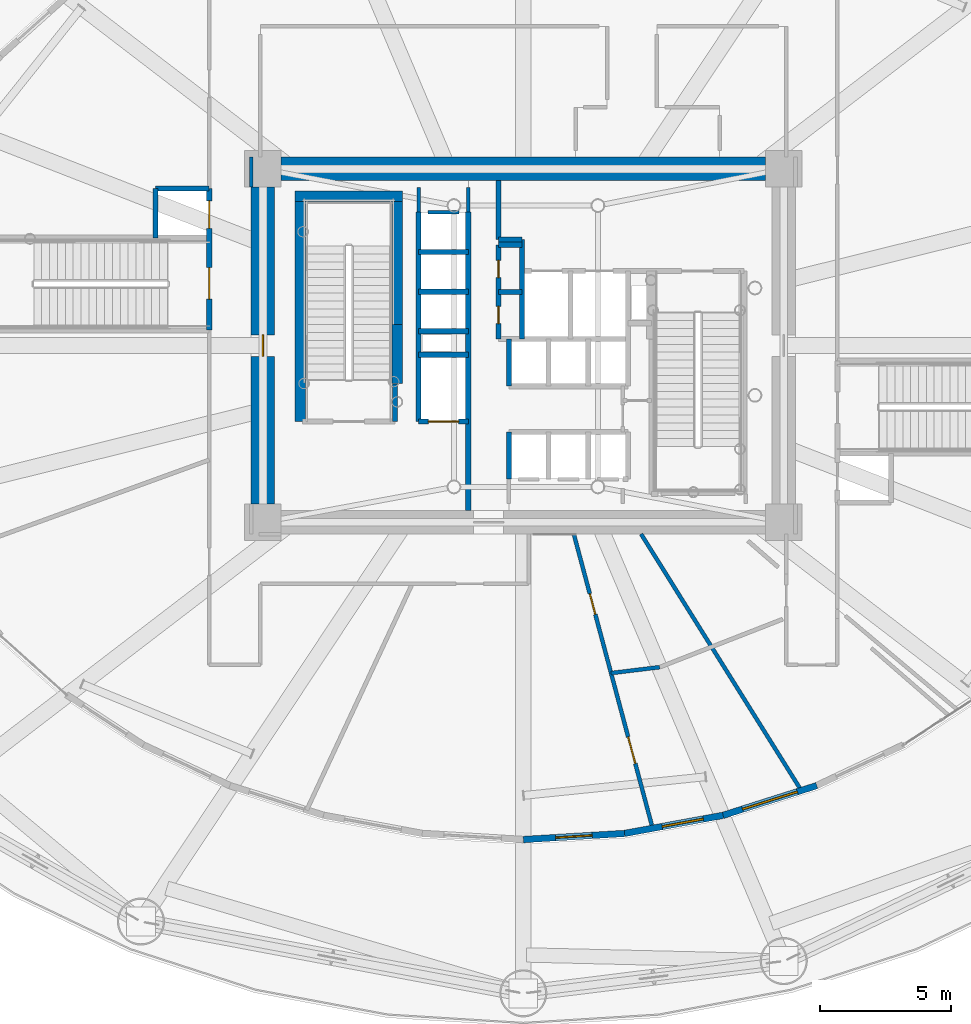
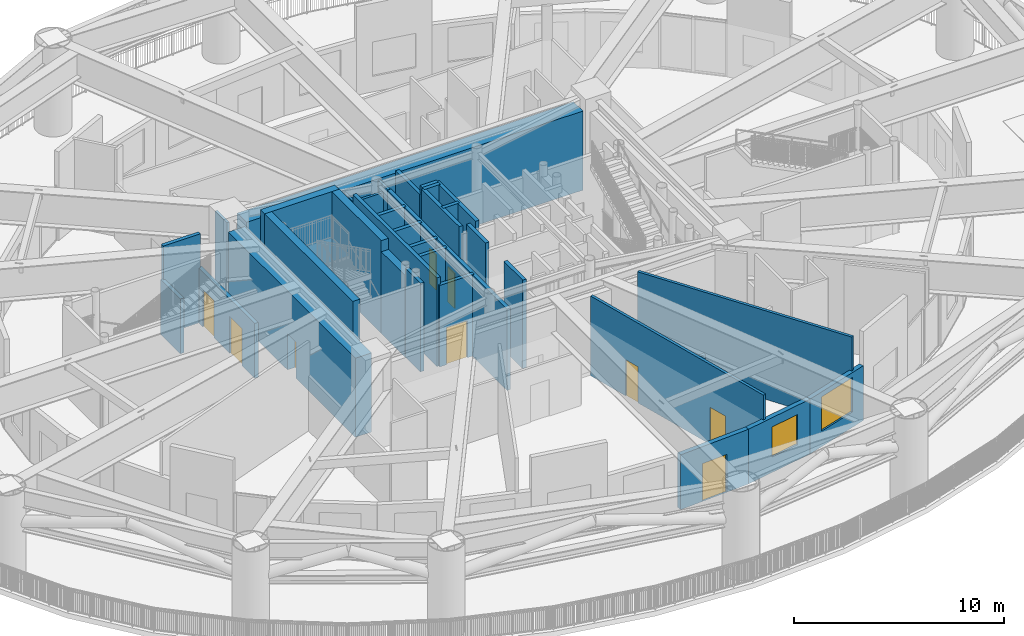
# One storey, part 23 of 39: 35 walls, 9 doors, 2 windows, 11 openings.
"""IFC4 building model written with IfcOpenShell, lengths in metres."""

from ifc_helpers import new_model, si_unit, direction, frame, frame_2d, origin, origin_2d, place, context, subcontext, project, spatial, rectangle, extrude, source, transform, mapped, material, layer, layer_set, type_object, element, fill, save


model = new_model("IFC4")

# Units and contexts
model_context = context("Model", 3, precision=1e-05, world=origin(), true_north=direction((0.0, 1.0)))
body_context = subcontext(model_context, "Body", "Model", "MODEL_VIEW")
ifc_project = project(units=[si_unit("LENGTHUNIT", "METRE"), si_unit("AREAUNIT", "SQUARE_METRE"), si_unit("VOLUMEUNIT", "CUBIC_METRE"), si_unit("PLANEANGLEUNIT", "RADIAN"), si_unit("MASSUNIT", "GRAM", prefix="KILO")], contexts=[model_context])

# Site, building, storey
site_placement = place(None, origin())
site = spatial("IfcSite", under=ifc_project, at=site_placement, CompositionType="ELEMENT")
building_placement = place(site_placement, origin())
building = spatial("IfcBuilding", under=site, at=building_placement, Name="Linh Dai School and Residence Tower", CompositionType="ELEMENT")
storey_placement = place(building_placement, frame((0.0, 0.0, 27.0)))
storey = spatial("IfcBuildingStorey", under=building, at=storey_placement, Name="L06", CompositionType="ELEMENT", Elevation=27.0)

# Wall, opening, door
ifc_material_1 = material(Name="Precast Concrete B45 (C35/45)", Category="concrete")
ifc_layer_1 = layer(ifc_material_1, 0.25)
ifc_layer_set_1 = layer_set([ifc_layer_1], Name="Precast Concrete B45 (C35/45)")
wall_type_1 = type_object("IfcWallType", Name="EW-TC-250", PredefinedType="SOLIDWALL", material=ifc_layer_set_1)
wall_1_placement = place(storey_placement, frame((39.864501953125, 8.35791015625, 0.0), z_axis=(0.0, 0.0, 1.0), x_axis=(-0.998188749064, -0.060159963776, 0.0)))
wall_1 = element("IfcWall", 1, at=wall_1_placement, inside=storey, type_object=wall_type_1, Name="L06 Terracotta Exterior Wall 31", PredefinedType="SOLIDWALL", context=body_context, shape_type="SweptSolid", body=[
    extrude(rectangle(XDim=3.87158203125, YDim=0.25, at=frame_2d((1.935791015625, 0.0))), origin(), (0.0, 0.0, 1.0), 3.18505859375),
])
opening_1_placement = place(wall_1_placement, frame((1.23583984375, 0.0, 0.0)))
opening_1 = element("IfcOpeningElement", 2, at=opening_1_placement, cuts=wall_1, Name="Opening DD1", PredefinedType="OPENING", context=body_context, shape_type="SweptSolid", body=[
    extrude(rectangle(XDim=1.39990234375, YDim=2.199951171875, at=origin_2d()), frame((0.699951171875, 0.135009765625, 1.10009765625), z_axis=(0.0, -1.0, 0.0), x_axis=(1.0, 0.0, 0.0)), (0.0, 0.0, 1.0), 0.27001953125),
])
ifc_material_2 = material(Name="Glazed Aluminium Terrace Door", Category="aluminium")
door_type_1 = type_object("IfcDoorType", Name="DR-DECK-1400x2200", OperationType="NOTDEFINED", PredefinedType="DOOR", material=ifc_material_2)
shared_shape_1 = source(origin(), body_context, "Body", "SweptSolid", [
    extrude(rectangle(XDim=1.39990234375, YDim=2.199951171875, at=origin_2d()), frame((0.699951171875, 0.02490234375, 1.10009765625), z_axis=(0.0, -1.0, 0.0), x_axis=(1.0, 0.0, 0.0)), (0.0, 0.0, 1.0), 0.050048828125),
])
door_1_placement = place(opening_1_placement, origin())
door_1 = element("IfcDoor", 3, at=door_1_placement, inside=storey, type_object=door_type_1, Name="L06 Outdoor Terrace Access Door 31", OperationType="SINGLE_SWING_LEFT", OverallHeight=2.199951171875, OverallWidth=1.39990234375, PredefinedType="DOOR", context=body_context, shape_type="MappedRepresentation", body=[
    mapped(shared_shape_1, transform((0.0, 0.0, 0.0), x_axis=(1.0, 0.0, 0.0), y_axis=(0.0, 1.0, 0.0), z_axis=(0.0, 0.0, 1.0), scale=1.0)),
])
fill(opening_1, door_1)

# Wall, opening, window
wall_2_placement = place(storey_placement, frame((43.633544921875, 9.05126953125, 0.0), z_axis=(0.0, 0.0, 1.0), x_axis=(-0.983496768781, -0.180925691368, 0.0)))
wall_2 = element("IfcWall", 4, at=wall_2_placement, inside=storey, type_object=wall_type_1, Name="L06 Terracotta Exterior Wall 32", PredefinedType="SOLIDWALL", context=body_context, shape_type="SweptSolid", body=[
    extrude(rectangle(XDim=3.832275390625, YDim=0.25, at=frame_2d((1.916015625, 0.0))), origin(), (0.0, 0.0, 1.0), 3.18505859375),
])
opening_2_placement = place(wall_2_placement, frame((0.76708984375, 0.0, 0.89990234375)))
opening_2 = element("IfcOpeningElement", 5, at=opening_2_placement, cuts=wall_2, Name="Opening W2", PredefinedType="OPENING", context=body_context, shape_type="SweptSolid", body=[
    extrude(rectangle(XDim=1.60009765625, YDim=1.75, at=origin_2d()), frame((0.800048828125, 0.135009765625, 0.875), z_axis=(0.0, -1.0, 0.0), x_axis=(1.0, 0.0, 0.0)), (0.0, 0.0, 1.0), 0.27001953125),
])
ifc_material_3 = material(Name="Double Low-E Insulated Glazing", Category="glass")
window_type_1 = type_object("IfcWindowType", Name="WN-RES-1600x1750", PartitioningType="DOUBLE_PANEL_VERTICAL", PredefinedType="WINDOW", material=ifc_material_3)
shared_shape_2 = source(origin(), body_context, "Body", "SweptSolid", [
    extrude(rectangle(XDim=1.60009765625, YDim=1.75, at=origin_2d()), frame((0.800048828125, 0.030029296875, 0.875), z_axis=(0.0, -1.0, 0.0), x_axis=(1.0, 0.0, 0.0)), (0.0, 0.0, 1.0), 0.06005859375),
])
window_1_placement = place(opening_2_placement, origin())
window_1 = element("IfcWindow", 6, at=window_1_placement, inside=storey, type_object=window_type_1, Name="L06 Exterior Window 32.1", OverallHeight=1.75, OverallWidth=1.60009765625, PartitioningType="DOUBLE_PANEL_VERTICAL", PredefinedType="WINDOW", context=body_context, shape_type="MappedRepresentation", body=[
    mapped(shared_shape_2, transform((0.0, 0.0, 0.0), x_axis=(1.0, 0.0, 0.0), y_axis=(0.0, 1.0, 0.0), z_axis=(0.0, 0.0, 1.0), scale=1.0)),
])
fill(opening_2, window_1)

wall_3_placement = place(storey_placement, frame((47.213623046875, 10.187255859375, 0.0), z_axis=(0.0, 0.0, 1.0), x_axis=(-0.953166212936, -0.302446971412, 0.0)))
wall_3 = element("IfcWall", 7, at=wall_3_placement, inside=storey, type_object=wall_type_1, Name="L06 Terracotta Exterior Wall 33", PredefinedType="SOLIDWALL", context=body_context, shape_type="SweptSolid", body=[
    extrude(rectangle(XDim=3.756103515625, YDim=0.25, at=frame_2d((1.8779296875, 0.0))), origin(), (0.0, 0.0, 1.0), 3.18505859375),
])
opening_3_placement = place(wall_3_placement, frame((0.778076171875, 0.0, 0.89990234375)))
opening_3 = element("IfcOpeningElement", 8, at=opening_3_placement, cuts=wall_3, Name="Opening W4", PredefinedType="OPENING", context=body_context, shape_type="SweptSolid", body=[
    extrude(rectangle(XDim=2.199951171875, YDim=2.0, at=origin_2d()), frame((1.10009765625, 0.135009765625, 1.0), z_axis=(0.0, -1.0, 0.0), x_axis=(1.0, 0.0, 0.0)), (0.0, 0.0, 1.0), 0.27001953125),
])
ifc_material_4 = material(Name="Acoustic Laminated Low-E Glazing", Category="glass")
window_type_2 = type_object("IfcWindowType", Name="WN-SCH-2200x2000", PartitioningType="TRIPLE_PANEL_VERTICAL", PredefinedType="WINDOW", material=ifc_material_4)
shared_shape_3 = source(origin(), body_context, "Body", "SweptSolid", [
    extrude(rectangle(XDim=2.199951171875, YDim=2.0, at=origin_2d()), frame((1.10009765625, 0.030029296875, 1.0), z_axis=(0.0, -1.0, 0.0), x_axis=(1.0, 0.0, 0.0)), (0.0, 0.0, 1.0), 0.06005859375),
])
window_2_placement = place(opening_3_placement, origin())
window_2 = element("IfcWindow", 9, at=window_2_placement, inside=storey, type_object=window_type_2, Name="L06 Exterior Window 33.1", OverallHeight=2.0, OverallWidth=2.199951171875, PartitioningType="TRIPLE_PANEL_VERTICAL", PredefinedType="WINDOW", context=body_context, shape_type="MappedRepresentation", body=[
    mapped(shared_shape_3, transform((0.0, 0.0, 0.0), x_axis=(1.0, 0.0, 0.0), y_axis=(0.0, 1.0, 0.0), z_axis=(0.0, 0.0, 1.0), scale=1.0)),
])
fill(opening_3, window_2)

# Walls
ifc_material_5 = material(Name="Autoclaved Aerated Concrete Blockwork", Category="masonry")
ifc_layer_2 = layer(ifc_material_5, 0.135009765625)
ifc_layer_set_2 = layer_set([ifc_layer_2], Name="Autoclaved Aerated Concrete Blockwork")
wall_type_2 = type_object("IfcWallType", Name="IW-CORR-135-EI90", PredefinedType="PARTITIONING", material=ifc_layer_set_2)
wall_4_placement = place(storey_placement, frame((32.360107421875, 32.10009765625, 0.0), z_axis=(0.0, 0.0, 1.0), x_axis=(1.0, 0.0, 0.0)))
element("IfcWall", 10, at=wall_4_placement, inside=storey, type_object=wall_type_2, Name="L06 Interior Partition Wall 074", PredefinedType="PARTITIONING", context=body_context, shape_type="SweptSolid", body=[
    extrude(rectangle(XDim=1.179931640625, YDim=0.135009765625, at=frame_2d((0.58984375, 0.0))), origin(), (0.0, 0.0, 1.0), 4.735107421875),
])
wall_5_placement = place(storey_placement, frame((32.0, 33.0400390625, 0.0), z_axis=(0.0, 0.0, 1.0), x_axis=(0.0, -1.0, 0.0)))
element("IfcWall", 11, at=wall_5_placement, inside=storey, type_object=wall_type_2, Name="L06 Interior Partition Wall 076", PredefinedType="PARTITIONING", context=body_context, shape_type="SweptSolid", body=[
    extrude(rectangle(XDim=0.929931640625, YDim=0.135009765625, at=frame_2d((0.46484375, 0.0))), origin(), (0.0, 0.0, 1.0), 4.68505859375),
])
wall_6_placement = place(storey_placement, frame((33.89990234375, 32.110107421875, 0.0), z_axis=(0.0, 0.0, 1.0), x_axis=(0.0, 1.0, 0.0)))
element("IfcWall", 12, at=wall_6_placement, inside=storey, type_object=wall_type_2, Name="L06 Interior Partition Wall 079", PredefinedType="PARTITIONING", context=body_context, shape_type="SweptSolid", body=[
    extrude(rectangle(XDim=0.929931640625, YDim=0.135009765625, at=frame_2d((0.46484375, 0.0))), origin(), (0.0, 0.0, 1.0), 4.735107421875),
])
wall_7_placement = place(storey_placement, frame((25.60009765625, 34.199951171875, 0.0), z_axis=(0.0, 0.0, 1.0), x_axis=(0.0, -1.0, 0.0)))
element("IfcWall", 13, at=wall_7_placement, inside=storey, type_object=wall_type_2, Name="L06 Interior Partition Wall 094", PredefinedType="PARTITIONING", context=body_context, shape_type="SweptSolid", body=[
    extrude(rectangle(XDim=1.139892578125, YDim=0.135009765625, at=frame_2d((0.56982421875, 0.0))), origin(), (0.0, 0.0, 1.0), 5.14990234375),
])

# Wall, openings, doors
ifc_layer_3 = layer(ifc_material_5, 0.14990234375)
ifc_layer_set_3 = layer_set([ifc_layer_3], Name="Autoclaved Aerated Concrete Blockwork")
wall_type_3 = type_object("IfcWallType", Name="IW-SCH-150-EI60", PredefinedType="PARTITIONING", material=ifc_layer_set_3)
wall_8_placement = place(storey_placement, frame((37.92919921875, 19.800048828125, 0.0), z_axis=(0.0, 0.0, 1.0), x_axis=(0.258828999451, -0.965923158974, 0.0)))
wall_8 = element("IfcWall", 14, at=wall_8_placement, inside=storey, type_object=wall_type_3, Name="L06 Interior Partition Wall 042", PredefinedType="PARTITIONING", context=body_context, shape_type="SweptSolid", body=[
    extrude(rectangle(XDim=11.645263671875, YDim=0.14990234375, at=frame_2d((5.82275390625, 0.0))), origin(), (0.0, 0.0, 1.0), 4.635009765625),
])
opening_4_placement = place(wall_8_placement, frame((2.3603515625, 0.0, 0.0)))
opening_4 = element("IfcOpeningElement", 15, at=opening_4_placement, cuts=wall_8, Name="Opening D06", PredefinedType="OPENING", context=body_context, shape_type="SweptSolid", body=[
    extrude(rectangle(XDim=0.820068359375, YDim=2.10009765625, at=origin_2d()), frame((0.41015625, 0.0849609375, 1.050048828125), z_axis=(0.0, -1.0, 0.0), x_axis=(1.0, 0.0, 0.0)), (0.0, 0.0, 1.0), 0.169921875),
])
opening_5_placement = place(wall_8_placement, frame((8.028076171875, 0.0, 0.0)))
opening_5 = element("IfcOpeningElement", 16, at=opening_5_placement, cuts=wall_8, Name="Opening D04", PredefinedType="OPENING", context=body_context, shape_type="SweptSolid", body=[
    extrude(rectangle(XDim=1.050048828125, YDim=2.14990234375, at=origin_2d()), frame((0.52490234375, 0.0849609375, 1.074951171875), z_axis=(0.0, -1.0, 0.0), x_axis=(1.0, 0.0, 0.0)), (0.0, 0.0, 1.0), 0.169921875),
])
ifc_material_6 = material(Name="Acoustic Vision-Panel Timber Classroom Door", Category="wood")
door_type_2 = type_object("IfcDoorType", Name="DR-SCH-1050x2150-FD60S", OperationType="NOTDEFINED", PredefinedType="DOOR", material=ifc_material_6)
shared_shape_4 = source(origin(), body_context, "Body", "SweptSolid", [
    extrude(rectangle(XDim=1.050048828125, YDim=2.14990234375, at=origin_2d()), frame((0.52490234375, 0.02490234375, 1.074951171875), z_axis=(0.0, -1.0, 0.0), x_axis=(1.0, 0.0, 0.0)), (0.0, 0.0, 1.0), 0.050048828125),
])
door_2_placement = place(opening_5_placement, origin())
door_2 = element("IfcDoor", 17, at=door_2_placement, inside=storey, type_object=door_type_2, Name="L06 Resource Study Room BWC Door", OperationType="SINGLE_SWING_LEFT", OverallHeight=2.14990234375, OverallWidth=1.050048828125, PredefinedType="DOOR", context=body_context, shape_type="MappedRepresentation", body=[
    mapped(shared_shape_4, transform((0.0, 0.0, 0.0), x_axis=(1.0, 0.0, 0.0), y_axis=(0.0, 1.0, 0.0), z_axis=(0.0, 0.0, 1.0), scale=1.0)),
])
fill(opening_5, door_2)
ifc_material_7 = material(Name="Moisture-Resistant Timber Bathroom Door", Category="wood")
door_type_3 = type_object("IfcDoorType", Name="DR-WET-820x2100", OperationType="NOTDEFINED", PredefinedType="DOOR", material=ifc_material_7)
shared_shape_5 = source(origin(), body_context, "Body", "SweptSolid", [
    extrude(rectangle(XDim=0.820068359375, YDim=2.10009765625, at=origin_2d()), frame((0.41015625, 0.02490234375, 1.050048828125), z_axis=(0.0, -1.0, 0.0), x_axis=(1.0, 0.0, 0.0)), (0.0, 0.0, 1.0), 0.050048828125),
])
door_3_placement = place(opening_4_placement, origin())
door_3 = element("IfcDoor", 18, at=door_3_placement, inside=storey, type_object=door_type_3, Name="L06 Pavilion Boys WC Door", OperationType="SINGLE_SWING_RIGHT", OverallHeight=2.10009765625, OverallWidth=0.820068359375, PredefinedType="DOOR", context=body_context, shape_type="MappedRepresentation", body=[
    mapped(shared_shape_5, transform((0.0, 0.0, 0.0), x_axis=(1.0, 0.0, 0.0), y_axis=(0.0, 1.0, 0.0), z_axis=(0.0, 0.0, 1.0), scale=1.0)),
])
fill(opening_4, door_3)

# Walls
wall_9_placement = place(storey_placement, frame((39.352783203125, 14.48681640625, 0.0), z_axis=(0.0, 0.0, 1.0), x_axis=(0.992712995386, 0.120502733544, 0.0)))
element("IfcWall", 19, at=wall_9_placement, inside=storey, type_object=wall_type_3, Name="L06 Interior Partition Wall 045", PredefinedType="PARTITIONING", context=body_context, shape_type="SweptSolid", body=[
    extrude(rectangle(XDim=1.8720703125, YDim=0.14990234375, at=frame_2d((0.93603515625, 0.0))), origin(), (0.0, 0.0, 1.0), 3.18505859375),
])
wall_10_placement = place(storey_placement, frame((40.4990234375, 19.800048828125, 0.0), z_axis=(0.0, 0.0, 1.0), x_axis=(0.529917315657, -0.848049313759, 0.0)))
element("IfcWall", 20, at=wall_10_placement, inside=storey, type_object=wall_type_3, Name="L06 Interior Partition Wall 052", PredefinedType="PARTITIONING", context=body_context, shape_type="SweptSolid", body=[
    extrude(rectangle(XDim=11.561279296875, YDim=0.14990234375, at=frame_2d((5.78076171875, 0.0))), origin(), (0.0, 0.0, 1.0), 5.14990234375),
])
ifc_material_8 = material(Name="Concrete B45 (C35/45)", Category="concrete")
ifc_layer_4 = layer(ifc_material_8, 0.199951171875)
ifc_layer_set_4 = layer_set([ifc_layer_4], Name="Concrete B45 (C35/45)")
wall_type_4 = type_object("IfcWallType", Name="IW-SHAFT-200-EI120", PredefinedType="PARTITIONING", material=ifc_layer_set_4)
wall_11_placement = place(storey_placement, frame((21.949951171875, 31.1201171875, 0.0), z_axis=(0.0, 0.0, 1.0), x_axis=(0.0, 1.0, 0.0)))
element("IfcWall", 21, at=wall_11_placement, inside=storey, type_object=wall_type_4, Name="L06 Interior Partition Wall 005", PredefinedType="PARTITIONING", context=body_context, shape_type="SweptSolid", body=[
    extrude(rectangle(XDim=1.8798828125, YDim=0.199951171875, at=frame_2d((0.93994140625, 0.0))), origin(), (0.0, 0.0, 1.0), 3.18505859375),
])
wall_12_placement = place(storey_placement, frame((21.949951171875, 33.0, 0.0), z_axis=(0.0, 0.0, 1.0), x_axis=(1.0, 0.0, 0.0)))
element("IfcWall", 22, at=wall_12_placement, inside=storey, type_object=wall_type_4, Name="L06 Interior Partition Wall 006", PredefinedType="PARTITIONING", context=body_context, shape_type="SweptSolid", body=[
    extrude(rectangle(XDim=2.050048828125, YDim=0.199951171875, at=frame_2d((1.02490234375, 0.0))), origin(), (0.0, 0.0, 1.0), 5.14990234375),
])

# Wall, openings, doors
wall_13_placement = place(storey_placement, frame((24.0, 27.590087890625, 0.0), z_axis=(0.0, 0.0, 1.0), x_axis=(0.0, 1.0, 0.0)))
wall_13 = element("IfcWall", 23, at=wall_13_placement, inside=storey, type_object=wall_type_4, Name="L06 Interior Partition Wall 010", PredefinedType="PARTITIONING", context=body_context, shape_type="SweptSolid", body=[
    extrude(rectangle(XDim=5.409912109375, YDim=0.199951171875, at=frame_2d((2.705078125, 0.0))), origin(), (0.0, 0.0, 1.0), 3.18505859375),
])
opening_6_placement = place(wall_13_placement, frame((1.18505859375, 0.0, 0.0)))
opening_6 = element("IfcOpeningElement", 24, at=opening_6_placement, cuts=wall_13, Name="Opening D01", PredefinedType="OPENING", context=body_context, shape_type="SweptSolid", body=[
    extrude(rectangle(XDim=1.199951171875, YDim=2.14990234375, at=origin_2d()), frame((0.60009765625, 0.10986328125, 1.074951171875), z_axis=(0.0, -1.0, 0.0), x_axis=(1.0, 0.0, 0.0)), (0.0, 0.0, 1.0), 0.219970703125),
])
opening_7_placement = place(wall_13_placement, frame((3.889892578125, 0.0, 0.0)))
opening_7 = element("IfcOpeningElement", 25, at=opening_7_placement, cuts=wall_13, Name="Opening LD-SL1", PredefinedType="OPENING", context=body_context, shape_type="SweptSolid", body=[
    extrude(rectangle(XDim=1.050048828125, YDim=2.14990234375, at=origin_2d()), frame((0.52490234375, 0.10986328125, 1.074951171875), z_axis=(0.0, -1.0, 0.0), x_axis=(1.0, 0.0, 0.0)), (0.0, 0.0, 1.0), 0.219970703125),
])
ifc_material_9 = material(Name="Fire-Rated Steel Door Leaf", Category="steel")
door_type_4 = type_object("IfcDoorType", Name="DR-STAIR-1200x2150-FD90S", OperationType="NOTDEFINED", PredefinedType="DOOR", material=ifc_material_9)
shared_shape_6 = source(origin(), body_context, "Body", "SweptSolid", [
    extrude(rectangle(XDim=1.199951171875, YDim=2.14990234375, at=origin_2d()), frame((0.60009765625, 0.02490234375, 1.074951171875), z_axis=(0.0, -1.0, 0.0), x_axis=(1.0, 0.0, 0.0)), (0.0, 0.0, 1.0), 0.050048828125),
])
door_4_placement = place(opening_6_placement, origin())
door_4 = element("IfcDoor", 26, at=door_4_placement, inside=storey, type_object=door_type_4, Name="L06 Exit Stair STS1 Door", OperationType="SINGLE_SWING_LEFT", OverallHeight=2.14990234375, OverallWidth=1.199951171875, PredefinedType="DOOR", context=body_context, shape_type="MappedRepresentation", body=[
    mapped(shared_shape_6, transform((0.0, 0.0, 0.0), x_axis=(1.0, 0.0, 0.0), y_axis=(0.0, 1.0, 0.0), z_axis=(0.0, 0.0, 1.0), scale=1.0)),
])
fill(opening_6, door_4)
ifc_material_10 = material(Name="Brushed Stainless Steel Lift Landing Door", Category="steel")
door_type_5 = type_object("IfcDoorType", Name="DR-LD-PASS-1050x2150", OperationType="DOUBLE_DOOR_SLIDING", PredefinedType="USERDEFINED", material=ifc_material_10)
shared_shape_7 = source(origin(), body_context, "Body", "SweptSolid", [
    extrude(rectangle(XDim=1.050048828125, YDim=2.14990234375, at=origin_2d()), frame((0.52490234375, 0.02490234375, 1.074951171875), z_axis=(0.0, -1.0, 0.0), x_axis=(1.0, 0.0, 0.0)), (0.0, 0.0, 1.0), 0.050048828125),
])
door_5_placement = place(opening_7_placement, origin())
door_5 = element("IfcDoor", 27, at=door_5_placement, inside=storey, type_object=door_type_5, Name="L06 Lift SL1 Sliding Landing Door", ObjectType="LANDING DOOR", OperationType="DOUBLE_DOOR_SLIDING", OverallHeight=2.14990234375, OverallWidth=1.050048828125, PredefinedType="USERDEFINED", context=body_context, shape_type="MappedRepresentation", body=[
    mapped(shared_shape_7, transform((0.0, 0.0, 0.0), x_axis=(1.0, 0.0, 0.0), y_axis=(0.0, 1.0, 0.0), z_axis=(0.0, 0.0, 1.0), scale=1.0)),
])
fill(opening_7, door_5)

# Walls
wall_14_placement = place(storey_placement, frame((31.10009765625, 24.10009765625, 0.0), z_axis=(0.0, 0.0, 1.0), x_axis=(0.0, 1.0, 0.0)))
element("IfcWall", 28, at=wall_14_placement, inside=storey, type_object=wall_type_4, Name="L06 Interior Partition Wall 018", PredefinedType="PARTITIONING", context=body_context, shape_type="SweptSolid", body=[
    extrude(rectangle(XDim=1.43994140625, YDim=0.199951171875, at=frame_2d((0.719970703125, 0.0))), origin(), (0.0, 0.0, 1.0), 5.14990234375),
])
wall_15_placement = place(storey_placement, frame((32.0, 24.10009765625, 0.0), z_axis=(0.0, 0.0, 1.0), x_axis=(0.0, 1.0, 0.0)))
element("IfcWall", 29, at=wall_15_placement, inside=storey, type_object=wall_type_4, Name="L06 Interior Partition Wall 019", PredefinedType="PARTITIONING", context=body_context, shape_type="SweptSolid", body=[
    extrude(rectangle(XDim=8.0, YDim=0.199951171875, at=frame_2d((4.0, 0.0))), origin(), (0.0, 0.0, 1.0), 5.14990234375),
])

# Wall, opening, door
wall_16_placement = place(storey_placement, frame((32.0, 24.10009765625, 0.0), z_axis=(0.0, 0.0, 1.0), x_axis=(1.0, 0.0, 0.0)))
wall_16 = element("IfcWall", 30, at=wall_16_placement, inside=storey, type_object=wall_type_4, Name="L06 Interior Partition Wall 020", PredefinedType="PARTITIONING", context=body_context, shape_type="SweptSolid", body=[
    extrude(rectangle(XDim=1.89990234375, YDim=0.199951171875, at=frame_2d((0.949951171875, 0.0))), origin(), (0.0, 0.0, 1.0), 4.735107421875),
])
opening_8_placement = place(wall_16_placement, frame((0.375, 0.0, 0.0)))
opening_8 = element("IfcOpeningElement", 31, at=opening_8_placement, cuts=wall_16, Name="Opening LD-FF2", PredefinedType="OPENING", context=body_context, shape_type="SweptSolid", body=[
    extrude(rectangle(XDim=1.14990234375, YDim=2.14990234375, at=origin_2d()), frame((0.574951171875, 0.10986328125, 1.074951171875), z_axis=(0.0, -1.0, 0.0), x_axis=(1.0, 0.0, 0.0)), (0.0, 0.0, 1.0), 0.219970703125),
])
ifc_material_11 = material(Name="Fire-Rated Stainless Steel Firefighting Lift Door", Category="steel")
door_type_6 = type_object("IfcDoorType", Name="DR-LD-FF-1150x2150-FD120", OperationType="DOUBLE_DOOR_SLIDING", PredefinedType="USERDEFINED", material=ifc_material_11)
shared_shape_8 = source(origin(), body_context, "Body", "SweptSolid", [
    extrude(rectangle(XDim=1.14990234375, YDim=2.14990234375, at=origin_2d()), frame((0.574951171875, 0.02490234375, 1.074951171875), z_axis=(0.0, -1.0, 0.0), x_axis=(1.0, 0.0, 0.0)), (0.0, 0.0, 1.0), 0.050048828125),
])
door_6_placement = place(opening_8_placement, origin())
door_6 = element("IfcDoor", 32, at=door_6_placement, inside=storey, type_object=door_type_6, Name="L06 Lift FF2 Sliding Landing Door", ObjectType="LANDING DOOR", OperationType="DOUBLE_DOOR_SLIDING", OverallHeight=2.14990234375, OverallWidth=1.14990234375, PredefinedType="USERDEFINED", context=body_context, shape_type="MappedRepresentation", body=[
    mapped(shared_shape_8, transform((0.0, 0.0, 0.0), x_axis=(1.0, 0.0, 0.0), y_axis=(0.0, 1.0, 0.0), z_axis=(0.0, 0.0, 1.0), scale=1.0)),
])
fill(opening_8, door_6)

# Walls
for number, where, z_axis, x_axis, name in (
    (33, (32.0, 26.64990234375, 0.0), (0.0, 0.0, 1.0), (1.0, 0.0, 0.0), "L06 Interior Partition Wall 021"),
    (34, (32.0, 27.550048828125, 0.0), (0.0, 0.0, 1.0), (1.0, 0.0, 0.0), "L06 Interior Partition Wall 022"),
    (35, (32.0, 29.06005859375, 0.0), (0.0, 0.0, 1.0), (1.0, 0.0, 0.0), "L06 Interior Partition Wall 023"),
    (36, (32.0, 30.580078125, 0.0), (0.0, 0.0, 1.0), (1.0, 0.0, 0.0), "L06 Interior Partition Wall 024"),
):
    element("IfcWall", number, at=place(storey_placement, frame(where, z_axis=z_axis, x_axis=x_axis)), inside=storey, type_object=wall_type_4, Name=name, PredefinedType="PARTITIONING", context=body_context, shape_type="SweptSolid", body=[
        extrude(rectangle(XDim=1.89990234375, YDim=0.199951171875, at=frame_2d((0.949951171875, 0.0))), origin(), (0.0, 0.0, 1.0), 4.735107421875),
    ])
wall_17_placement = place(storey_placement, frame((33.89990234375, 20.699951171875, 0.0), z_axis=(0.0, 0.0, 1.0), x_axis=(0.0, 1.0, 0.0)))
element("IfcWall", 37, at=wall_17_placement, inside=storey, type_object=wall_type_4, Name="L06 Interior Partition Wall 025", PredefinedType="PARTITIONING", context=body_context, shape_type="SweptSolid", body=[
    extrude(rectangle(XDim=11.400146484375, YDim=0.199951171875, at=frame_2d((5.7001953125, 0.0))), origin(), (0.0, 0.0, 1.0), 4.735107421875),
])

# Wall, openings, doors
wall_18_placement = place(storey_placement, frame((35.050048828125, 27.25, 0.0), z_axis=(0.0, 0.0, 1.0), x_axis=(0.0, 1.0, 0.0)))
wall_18 = element("IfcWall", 38, at=wall_18_placement, inside=storey, type_object=wall_type_4, Name="L06 Interior Partition Wall 026", PredefinedType="PARTITIONING", context=body_context, shape_type="SweptSolid", body=[
    extrude(rectangle(XDim=3.60009765625, YDim=0.199951171875, at=frame_2d((1.800048828125, 0.0))), origin(), (0.0, 0.0, 1.0), 5.14990234375),
])
opening_9_placement = place(wall_18_placement, frame((0.590087890625, 0.0, 0.0)))
opening_9 = element("IfcOpeningElement", 39, at=opening_9_placement, cuts=wall_18, Name="Opening AD1", PredefinedType="OPENING", context=body_context, shape_type="SweptSolid", body=[
    extrude(rectangle(XDim=0.659912109375, YDim=2.050048828125, at=origin_2d()), frame((0.330078125, 0.10986328125, 1.02490234375), z_axis=(0.0, -1.0, 0.0), x_axis=(1.0, 0.0, 0.0)), (0.0, 0.0, 1.0), 0.219970703125),
])
opening_10_placement = place(wall_18_placement, frame((2.35009765625, 0.0, 0.0)))
opening_10 = element("IfcOpeningElement", 40, at=opening_10_placement, cuts=wall_18, Name="Opening AD1", PredefinedType="OPENING", context=body_context, shape_type="SweptSolid", body=[
    extrude(rectangle(XDim=0.659912109375, YDim=2.050048828125, at=origin_2d()), frame((0.330078125, 0.10986328125, 1.02490234375), z_axis=(0.0, -1.0, 0.0), x_axis=(1.0, 0.0, 0.0)), (0.0, 0.0, 1.0), 0.219970703125),
])
ifc_material_12 = material(Name="Fire-Rated Steel Riser Access Door", Category="steel")
door_type_7 = type_object("IfcDoorType", Name="DR-ACC-660x2050-FD90S", OperationType="NOTDEFINED", PredefinedType="USERDEFINED", material=ifc_material_12)
shared_shape_9 = source(origin(), body_context, "Body", "SweptSolid", [
    extrude(rectangle(XDim=0.659912109375, YDim=2.050048828125, at=origin_2d()), frame((0.330078125, 0.02490234375, 1.02490234375), z_axis=(0.0, -1.0, 0.0), x_axis=(1.0, 0.0, 0.0)), (0.0, 0.0, 1.0), 0.050048828125),
])
door_7_placement = place(opening_9_placement, origin())
door_7 = element("IfcDoor", 41, at=door_7_placement, inside=storey, type_object=door_type_7, Name="L06 Telecom and Data Riser Access Door", ObjectType="ACCESS DOOR", OperationType="SINGLE_SWING_LEFT", OverallHeight=2.050048828125, OverallWidth=0.659912109375, PredefinedType="USERDEFINED", context=body_context, shape_type="MappedRepresentation", body=[
    mapped(shared_shape_9, transform((0.0, 0.0, 0.0), x_axis=(1.0, 0.0, 0.0), y_axis=(0.0, 1.0, 0.0), z_axis=(0.0, 0.0, 1.0), scale=1.0)),
])
fill(opening_9, door_7)
door_8_placement = place(opening_10_placement, origin())
door_8 = element("IfcDoor", 42, at=door_8_placement, inside=storey, type_object=door_type_7, Name="L06 Mechanical and Plumbing Riser Access Door", ObjectType="ACCESS DOOR", OperationType="SINGLE_SWING_RIGHT", OverallHeight=2.050048828125, OverallWidth=0.659912109375, PredefinedType="USERDEFINED", context=body_context, shape_type="MappedRepresentation", body=[
    mapped(shared_shape_9, transform((0.0, 0.0, 0.0), x_axis=(1.0, 0.0, 0.0), y_axis=(0.0, 1.0, 0.0), z_axis=(0.0, 0.0, 1.0), scale=1.0)),
])
fill(opening_10, door_8)

# Walls
for number, where, z_axis, x_axis, name in (
    (43, (35.050048828125, 29.050048828125, 0.0), (0.0, 0.0, 1.0), (1.0, 0.0, 0.0), "L06 Interior Partition Wall 028"),
    (44, (35.050048828125, 30.85009765625, 0.0), (0.0, 0.0, 1.0), (1.0, 0.0, 0.0), "L06 Interior Partition Wall 029"),
):
    element("IfcWall", number, at=place(storey_placement, frame(where, z_axis=z_axis, x_axis=x_axis)), inside=storey, type_object=wall_type_4, Name=name, PredefinedType="PARTITIONING", context=body_context, shape_type="SweptSolid", body=[
        extrude(rectangle(XDim=0.89990234375, YDim=0.199951171875, at=frame_2d((0.449951171875, 0.0))), origin(), (0.0, 0.0, 1.0), 5.14990234375),
    ])
wall_19_placement = place(storey_placement, frame((35.050048828125, 31.050048828125, 0.0), z_axis=(0.0, 0.0, 1.0), x_axis=(0.0, 1.0, 0.0)))
element("IfcWall", 45, at=wall_19_placement, inside=storey, type_object=wall_type_4, Name="L06 Interior Partition Wall 030", PredefinedType="PARTITIONING", context=body_context, shape_type="SweptSolid", body=[
    extrude(rectangle(XDim=2.25, YDim=0.199951171875, at=frame_2d((1.125, 0.0))), origin(), (0.0, 0.0, 1.0), 4.735107421875),
])
wall_20_placement = place(storey_placement, frame((35.050048828125, 31.050048828125, 0.0), z_axis=(0.0, 0.0, 1.0), x_axis=(1.0, 0.0, 0.0)))
element("IfcWall", 46, at=wall_20_placement, inside=storey, type_object=wall_type_4, Name="L06 Interior Partition Wall 031", PredefinedType="PARTITIONING", context=body_context, shape_type="SweptSolid", body=[
    extrude(rectangle(XDim=0.89990234375, YDim=0.199951171875, at=frame_2d((0.449951171875, 0.0))), origin(), (0.0, 0.0, 1.0), 5.14990234375),
])
for number, where, z_axis, x_axis, name in (
    (47, (35.449951171875, 21.89990234375, 0.0), (0.0, 0.0, 1.0), (0.0, 1.0, 0.0), "L06 Interior Partition Wall 032"),
    (48, (35.449951171875, 25.449951171875, 0.0), (0.0, 0.0, 1.0), (0.0, 1.0, 0.0), "L06 Interior Partition Wall 034"),
):
    element("IfcWall", number, at=place(storey_placement, frame(where, z_axis=z_axis, x_axis=x_axis)), inside=storey, type_object=wall_type_4, Name=name, PredefinedType="PARTITIONING", context=body_context, shape_type="SweptSolid", body=[
        extrude(rectangle(XDim=1.800048828125, YDim=0.199951171875, at=frame_2d((0.89990234375, 0.0))), origin(), (0.0, 0.0, 1.0), 5.14990234375),
    ])
wall_21_placement = place(storey_placement, frame((35.949951171875, 27.25, 0.0), z_axis=(0.0, 0.0, 1.0), x_axis=(0.0, 1.0, 0.0)))
element("IfcWall", 49, at=wall_21_placement, inside=storey, type_object=wall_type_4, Name="L06 Interior Partition Wall 036", PredefinedType="PARTITIONING", context=body_context, shape_type="SweptSolid", body=[
    extrude(rectangle(XDim=3.800048828125, YDim=0.199951171875, at=frame_2d((1.89990234375, 0.0))), origin(), (0.0, 0.0, 1.0), 5.14990234375),
])
ifc_layer_5 = layer(ifc_material_8, 0.39990234375)
ifc_layer_set_5 = layer_set([ifc_layer_5], Name="Concrete B45 (C35/45)")
wall_type_5 = type_object("IfcWallType", Name="WL-CORE400", PredefinedType="SHEAR", material=ifc_layer_set_5)
wall_22_placement = place(storey_placement, frame((27.47998046875, 24.10009765625, 0.0), z_axis=(0.0, 0.0, 1.0), x_axis=(0.0, 1.0, 0.0)))
element("IfcWall", 50, at=wall_22_placement, inside=storey, type_object=wall_type_5, Name="L06 Core Stair ST1 Bearing Wall W", PredefinedType="SHEAR", context=body_context, shape_type="SweptSolid", body=[
    extrude(rectangle(XDim=8.599853515625, YDim=0.39990234375, at=frame_2d((4.2998046875, 0.0))), origin(), (0.0, 0.0, 1.0), 5.39990234375),
])
wall_23_placement = place(storey_placement, frame((31.179931640625, 27.800048828125, 0.0), z_axis=(0.0, 0.0, 1.0), x_axis=(0.0, 1.0, 0.0)))
element("IfcWall", 51, at=wall_23_placement, inside=storey, type_object=wall_type_5, Name="L06 Core Stair ST1 Bearing Wall E", PredefinedType="SHEAR", context=body_context, shape_type="SweptSolid", body=[
    extrude(rectangle(XDim=4.89990234375, YDim=0.39990234375, at=frame_2d((2.449951171875, 0.0))), origin(), (0.0, 0.0, 1.0), 5.39990234375),
])
wall_24_placement = place(storey_placement, frame((27.280029296875, 32.699951171875, 0.0), z_axis=(0.0, 0.0, 1.0), x_axis=(1.0, 0.0, 0.0)))
element("IfcWall", 52, at=wall_24_placement, inside=storey, type_object=wall_type_5, Name="L06 Core Stair ST1 Bearing Wall N", PredefinedType="SHEAR", context=body_context, shape_type="SweptSolid", body=[
    extrude(rectangle(XDim=4.099853515625, YDim=0.39990234375, at=frame_2d((2.0498046875, 0.0))), origin(), (0.0, 0.0, 1.0), 5.39990234375),
])
wall_25_placement = place(storey_placement, frame((31.179931640625, 25.550048828125, 0.0), z_axis=(0.0, 0.0, 1.0), x_axis=(0.0, 1.0, 0.0)))
element("IfcWall", 53, at=wall_25_placement, inside=storey, type_object=wall_type_5, Name="L06 Internal Core Shear Wall IW", PredefinedType="SHEAR", context=body_context, shape_type="SweptSolid", body=[
    extrude(rectangle(XDim=2.25, YDim=0.39990234375, at=frame_2d((1.125, 0.0))), origin(), (0.0, 0.0, 1.0), 4.75),
])
ifc_material_13 = material(Name="Concrete B60 (C50/60)", Category="concrete")
ifc_layer_6 = layer(ifc_material_13, 0.89990234375)
ifc_layer_set_6 = layer_set([ifc_layer_6], Name="Concrete B60 (C50/60)")
wall_type_6 = type_object("IfcWallType", Name="WL-CORE900", PredefinedType="SHEAR", material=ifc_layer_set_6)
wall_26_placement = place(storey_placement, frame((26.75, 33.75, 0.0), z_axis=(0.0, 0.0, 1.0), x_axis=(1.0, 0.0, 0.0)))
element("IfcWall", 54, at=wall_26_placement, inside=storey, type_object=wall_type_6, Name="L06 Central Core Shear Wall N", PredefinedType="SHEAR", context=body_context, shape_type="SweptSolid", body=[
    extrude(rectangle(XDim=18.5, YDim=0.89990234375, at=frame_2d((9.25, 0.0))), origin(), (0.0, 0.0, 1.0), 4.60009765625),
])

# Wall, opening, door
wall_27_placement = place(storey_placement, frame((26.050048828125, 20.949951171875, 0.0), z_axis=(0.0, 0.0, 1.0), x_axis=(0.0, 1.0, 0.0)))
wall_27 = element("IfcWall", 55, at=wall_27_placement, inside=storey, type_object=wall_type_6, Name="L06 Central Core Shear Wall W", PredefinedType="SHEAR", context=body_context, shape_type="SweptSolid", body=[
    extrude(rectangle(XDim=12.10009765625, YDim=0.89990234375, at=frame_2d((6.050048828125, 0.0))), origin(), (0.0, 0.0, 1.0), 4.60009765625),
])
opening_11_placement = place(wall_27_placement, frame((5.639892578125, 0.0, 0.0)))
opening_11 = element("IfcOpeningElement", 56, at=opening_11_placement, cuts=wall_27, Name="Opening D06", PredefinedType="OPENING", context=body_context, shape_type="SweptSolid", body=[
    extrude(rectangle(XDim=0.820068359375, YDim=2.10009765625, at=origin_2d()), frame((0.41015625, 0.4599609375, 1.050048828125), z_axis=(0.0, -1.0, 0.0), x_axis=(1.0, 0.0, 0.0)), (0.0, 0.0, 1.0), 0.919921875),
])
door_9_placement = place(opening_11_placement, origin())
door_9 = element("IfcDoor", 57, at=door_9_placement, inside=storey, type_object=door_type_3, Name="L06 Firefighting Lobby Door", OperationType="SINGLE_SWING_RIGHT", OverallHeight=2.10009765625, OverallWidth=0.820068359375, PredefinedType="DOOR", context=body_context, shape_type="MappedRepresentation", body=[
    mapped(shared_shape_5, transform((0.0, 0.0, 0.0), x_axis=(1.0, 0.0, 0.0), y_axis=(0.0, 1.0, 0.0), z_axis=(0.0, 0.0, 1.0), scale=1.0)),
])
fill(opening_11, door_9)

save(model, "model.ifc")
